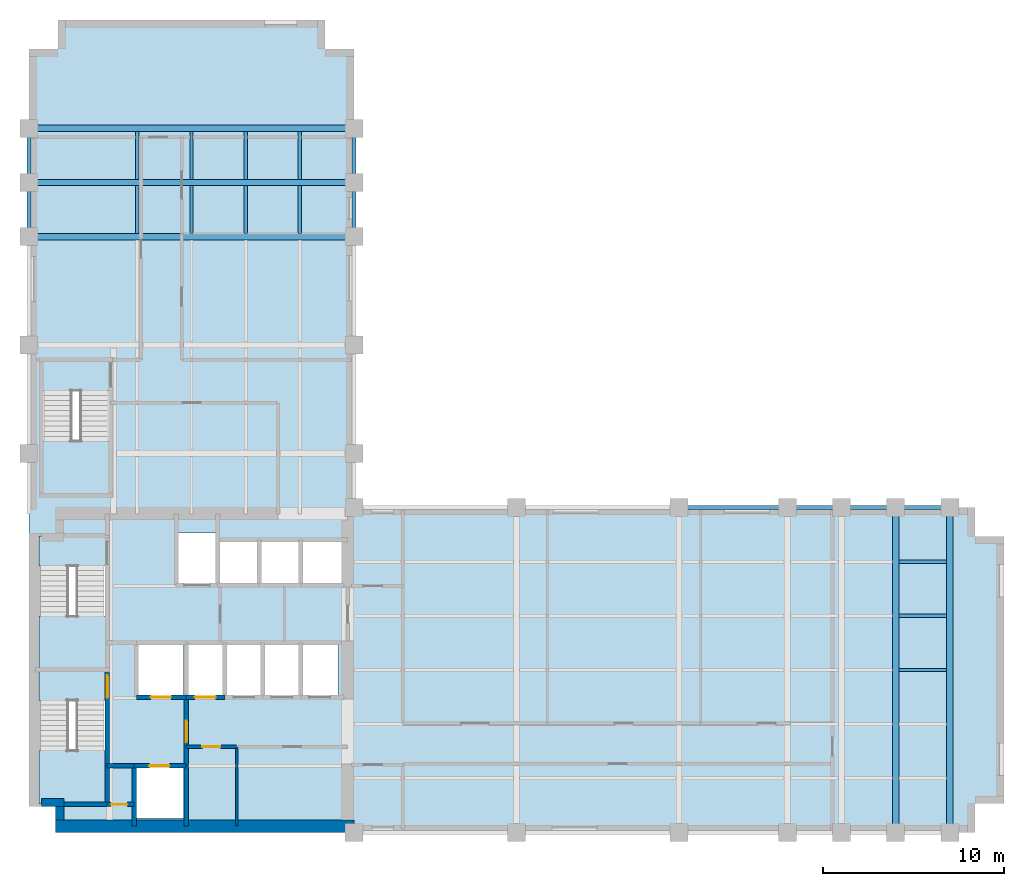
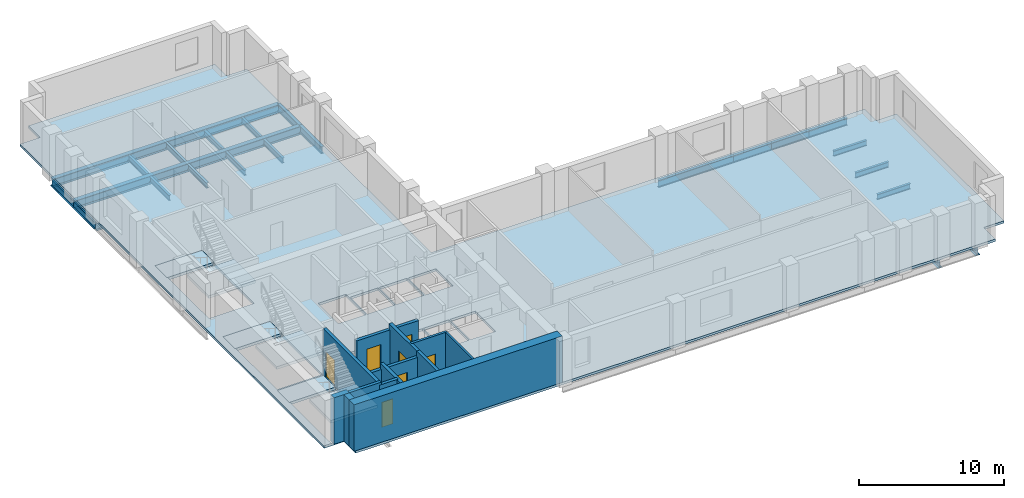
# One storey, part 2 of 7: 24 beams, 15 walls, 7 doors, 7 slabs, 7 openings, 3 elements without a shape of their own.
"""IFC4 building model written with IfcOpenShell, lengths in metres."""

from ifc_helpers import new_model, si_unit, direction, frame, frame_2d, origin, origin_2d, place, context, subcontext, project, spatial, polyline, rectangle, i_section, outline, extrude, material, layer, layer_set, material_profile, profile_set, type_object, element, fill, aggregate, save


model = new_model("IFC4")

# Units and contexts
model_context = context("Model", 3, precision=1e-05, world=origin(), true_north=direction((0.0, 1.0)))
body_context = subcontext(model_context, "Body", "Model", "MODEL_VIEW")
ifc_project = project(units=[si_unit("LENGTHUNIT", "METRE"), si_unit("AREAUNIT", "SQUARE_METRE"), si_unit("VOLUMEUNIT", "CUBIC_METRE"), si_unit("PLANEANGLEUNIT", "RADIAN"), si_unit("MASSUNIT", "GRAM", prefix="KILO")], contexts=[model_context])

# Site, building, storey
site_placement = place(None, origin())
site = spatial("IfcSite", under=ifc_project, at=site_placement, CompositionType="ELEMENT")
building_placement = place(site_placement, origin())
building = spatial("IfcBuilding", under=site, at=building_placement, Name="Mawjdan Bourse Tower", CompositionType="ELEMENT")
storey_placement = place(building_placement, frame((0.0, 0.0, 147.89990234375)))
storey = spatial("IfcBuildingStorey", under=building, at=storey_placement, Name="L35", CompositionType="ELEMENT", Elevation=147.89990234375)

# Beams
ifc_material_1 = material(Name="Structural Steel S355", Category="steel")
ifc_material_profile_1 = material_profile(ifc_material_1, i_section(OverallWidth=0.35498046875, OverallDepth=0.696044921875, WebThickness=0.015380859375, FlangeThickness=0.02490234375, FilletRadius=0.019775390625, at=origin_2d()), Name="W27X146")
ifc_profile_set_1 = profile_set([ifc_material_profile_1], Name="Structural Steel S355")
beam_type_1 = type_object("IfcBeamType", Name="GRD-W27X146", PredefinedType="BEAM", material=ifc_profile_set_1)
for number, where, z_axis, x_axis, name in (
    (1, (54.0, 3.0, -0.5478515625), (0.0, 1.0, 0.0), (-1.0, 0.0, 0.0), "L35 East Wing Clear-Span Girder 006"),
    (2, (57.0, 3.0, -0.5478515625), (0.0, 1.0, 0.0), (-1.0, 0.0, 0.0), "L35 East Wing Clear-Span Girder 007"),
    (3, (6.0, 36.0, -0.5478515625), (1.0, 0.0, 0.0), (0.0, 1.0, 0.0), "L35 North Wing Clear-Span Girder 057"),
    (4, (6.0, 39.0, -0.5478515625), (1.0, 0.0, 0.0), (0.0, 1.0, 0.0), "L35 North Wing Clear-Span Girder 058"),
    (5, (6.0, 42.0, -0.5478515625), (1.0, 0.0, 0.0), (0.0, 1.0, 0.0), "L35 North Wing Clear-Span Girder 059"),
):
    element("IfcBeam", number, at=place(storey_placement, frame(where, z_axis=z_axis, x_axis=x_axis)), inside=storey, type_object=beam_type_1, Name=name, PredefinedType="BEAM", context=body_context, shape_type="SweptSolid", body=[
        extrude(i_section(OverallWidth=0.35498046875, OverallDepth=0.696044921875, WebThickness=0.015380859375, FlangeThickness=0.02490234375, FilletRadius=0.019775390625, at=origin_2d()), origin(), (0.0, 0.0, 1.0), 18.0),
    ])
ifc_material_profile_2 = material_profile(ifc_material_1, i_section(OverallWidth=0.18994140625, OverallDepth=0.45703125, WebThickness=0.009033203125, FlangeThickness=0.014404296875, FilletRadius=0.01171875, at=origin_2d()), Name="W18X50")
ifc_profile_set_2 = profile_set([ifc_material_profile_2], Name="Structural Steel S355")
beam_type_2 = type_object("IfcBeamType", Name="JST-W18X50", PredefinedType="JOIST", material=ifc_profile_set_2)
for number, where, z_axis, x_axis, name in (
    (6, (54.175537109375, 12.0, -0.428466796875), (1.0, 0.0, 0.0), (0.0, 1.0, 0.0), "L35 East Wing Composite Joist 037"),
    (7, (54.175537109375, 15.0, -0.428466796875), (1.0, 0.0, 0.0), (0.0, 1.0, 0.0), "L35 East Wing Composite Joist 043"),
    (8, (54.175537109375, 18.0, -0.428466796875), (1.0, 0.0, 0.0), (0.0, 1.0, 0.0), "L35 East Wing Composite Joist 049"),
    (9, (12.0, 36.175537109375, -0.428466796875), (0.0, 1.0, 0.0), (-1.0, 0.0, 0.0), "L35 North Wing Composite Joist 073"),
    (10, (12.0, 39.175537109375, -0.428466796875), (0.0, 1.0, 0.0), (-1.0, 0.0, 0.0), "L35 North Wing Composite Joist 074"),
    (11, (15.0, 36.175537109375, -0.428466796875), (0.0, 1.0, 0.0), (-1.0, 0.0, 0.0), "L35 North Wing Composite Joist 078"),
    (12, (15.0, 39.175537109375, -0.428466796875), (0.0, 1.0, 0.0), (-1.0, 0.0, 0.0), "L35 North Wing Composite Joist 079"),
    (13, (18.0, 36.175537109375, -0.428466796875), (0.0, 1.0, 0.0), (-1.0, 0.0, 0.0), "L35 North Wing Composite Joist 083"),
    (14, (18.0, 39.175537109375, -0.428466796875), (0.0, 1.0, 0.0), (-1.0, 0.0, 0.0), "L35 North Wing Composite Joist 084"),
    (15, (21.0, 36.175537109375, -0.428466796875), (0.0, 1.0, 0.0), (-1.0, 0.0, 0.0), "L35 North Wing Composite Joist 088"),
    (16, (21.0, 39.175537109375, -0.428466796875), (0.0, 1.0, 0.0), (-1.0, 0.0, 0.0), "L35 North Wing Composite Joist 089"),
):
    element("IfcBeam", number, at=place(storey_placement, frame(where, z_axis=z_axis, x_axis=x_axis)), inside=storey, type_object=beam_type_2, Name=name, PredefinedType="JOIST", context=body_context, shape_type="SweptSolid", body=[
        extrude(i_section(OverallWidth=0.18994140625, OverallDepth=0.45703125, WebThickness=0.009033203125, FlangeThickness=0.014404296875, FilletRadius=0.01171875, at=origin_2d()), origin(), (0.0, 0.0, 1.0), 2.64892578125),
    ])
ifc_material_profile_3 = material_profile(ifc_material_1, i_section(OverallWidth=0.22998046875, OverallDepth=0.616943359375, WebThickness=0.01318359375, FlangeThickness=0.022216796875, FilletRadius=0.017822265625, at=origin_2d()), Name="W24X94")
ifc_profile_set_3 = profile_set([ifc_material_profile_3], Name="Structural Steel S355")
beam_type_3 = type_object("IfcBeamType", Name="SPN-W24X94", PredefinedType="SPANDREL", material=ifc_profile_set_3)
beam_placement = place(storey_placement, frame((42.0, 21.0, -0.50830078125), z_axis=(1.0, 0.0, 0.0), x_axis=(0.0, 1.0, 0.0)))
element("IfcBeam", 17, at=beam_placement, inside=storey, type_object=beam_type_3, Name="L35 Perimeter Masonry-Shelf Spandrel 016", PredefinedType="SPANDREL", context=body_context, shape_type="SweptSolid", body=[
    extrude(i_section(OverallWidth=0.22998046875, OverallDepth=0.616943359375, WebThickness=0.01318359375, FlangeThickness=0.022216796875, FilletRadius=0.017822265625, at=origin_2d()), origin(), (0.0, 0.0, 1.0), 6.0),
])
for number, where, z_axis, x_axis, name in (
    (18, (48.0, 21.0, -0.50830078125), (1.0, 0.0, 0.0), (0.0, 1.0, 0.0), "L35 Perimeter Masonry-Shelf Spandrel 017"),
    (19, (51.0, 21.0, -0.50830078125), (1.0, 0.0, 0.0), (0.0, 1.0, 0.0), "L35 Perimeter Masonry-Shelf Spandrel 018"),
    (20, (54.0, 21.0, -0.50830078125), (1.0, 0.0, 0.0), (0.0, 1.0, 0.0), "L35 Perimeter Masonry-Shelf Spandrel 019"),
    (21, (6.0, 36.0, -0.50830078125), (0.0, 1.0, 0.0), (-1.0, 0.0, 0.0), "L35 North Wing Spandrel 063"),
    (22, (6.0, 39.0, -0.50830078125), (0.0, 1.0, 0.0), (-1.0, 0.0, 0.0), "L35 North Wing Spandrel 064"),
    (23, (24.0, 36.0, -0.50830078125), (0.0, 1.0, 0.0), (-1.0, 0.0, 0.0), "L35 North Wing Spandrel 068"),
    (24, (24.0, 39.0, -0.50830078125), (0.0, 1.0, 0.0), (-1.0, 0.0, 0.0), "L35 North Wing Spandrel 069"),
):
    element("IfcBeam", number, at=place(storey_placement, frame(where, z_axis=z_axis, x_axis=x_axis)), inside=storey, type_object=beam_type_3, Name=name, PredefinedType="SPANDREL", context=body_context, shape_type="SweptSolid", body=[
        extrude(i_section(OverallWidth=0.22998046875, OverallDepth=0.616943359375, WebThickness=0.01318359375, FlangeThickness=0.022216796875, FilletRadius=0.017822265625, at=origin_2d()), origin(), (0.0, 0.0, 1.0), 3.0),
    ])

# Stair, slabs
ifc_material_2 = material(Name="Concrete C50/60", Category="concrete")
stair_type = type_object("IfcStairType", Name="STR-CORE-1500", PredefinedType="HALF_TURN_STAIR", material=ifc_material_2)
stair_1_placement = place(storey_placement, origin())
stair_1 = element("IfcStair", 25, at=stair_1_placement, inside=storey, type_object=stair_type, Name="L35 Exit Stair 1 (Core South-West)", PredefinedType="HALF_TURN_STAIR")
ifc_layer_1 = layer(ifc_material_2, 0.22998046875)
ifc_layer_set_1 = layer_set([ifc_layer_1], Name="Concrete C50/60")
slab_type_1 = type_object("IfcSlabType", Name="SL-LND-230", PredefinedType="LANDING", material=ifc_layer_set_1)
slab_1_placement = place(storey_placement, frame((0.0, 0.0, -0.22998046875)))
slab_1 = element("IfcSlab", 26, at=slab_1_placement, type_object=slab_type_1, Name="ST1-L35 landing 1", PredefinedType="LANDING", context=body_context, shape_type="SweptSolid", body=[
    extrude(outline(polyline([(6.5400390625, 10.31005859375), (10.260009765625, 10.31005859375), (10.260009765625, 11.969970703125), (6.5400390625, 11.969970703125), (6.5400390625, 10.31005859375)])), origin(), (0.0, 0.0, 1.0), 0.22998046875),
])
slab_2_placement = place(storey_placement, frame((0.0, 0.0, 1.72021484375)))
slab_2 = element("IfcSlab", 27, at=slab_2_placement, type_object=slab_type_1, Name="ST1-L35 landing 2", PredefinedType="LANDING", context=body_context, shape_type="SweptSolid", body=[
    extrude(outline(polyline([(6.5400390625, 4.590087890625), (10.260009765625, 4.590087890625), (10.260009765625, 7.5400390625), (6.5400390625, 7.5400390625), (6.5400390625, 4.590087890625)])), origin(), (0.0, 0.0, 1.0), 0.22998046875),
])
aggregate(stair_1, [slab_1, slab_2])

stair_2_placement = place(storey_placement, origin())
stair_2 = element("IfcStair", 28, at=stair_2_placement, inside=storey, type_object=stair_type, Name="L35 Exit Stair 2 (Core North-West)", PredefinedType="HALF_TURN_STAIR")
slab_3_placement = place(storey_placement, frame((0.0, 0.0, -0.22998046875)))
slab_3 = element("IfcSlab", 29, at=slab_3_placement, type_object=slab_type_1, Name="ST2-L35 landing 1", PredefinedType="LANDING", context=body_context, shape_type="SweptSolid", body=[
    extrude(outline(polyline([(6.5400390625, 17.75), (10.260009765625, 17.75), (10.260009765625, 19.409912109375), (6.5400390625, 19.409912109375), (6.5400390625, 17.75)])), origin(), (0.0, 0.0, 1.0), 0.22998046875),
])
slab_4_placement = place(storey_placement, frame((0.0, 0.0, 1.72021484375)))
slab_4 = element("IfcSlab", 30, at=slab_4_placement, type_object=slab_type_1, Name="ST2-L35 landing 2", PredefinedType="LANDING", context=body_context, shape_type="SweptSolid", body=[
    extrude(outline(polyline([(6.5400390625, 12.030029296875), (10.260009765625, 12.030029296875), (10.260009765625, 14.97998046875), (6.5400390625, 14.97998046875), (6.5400390625, 12.030029296875)])), origin(), (0.0, 0.0, 1.0), 0.22998046875),
])
aggregate(stair_2, [slab_3, slab_4])

stair_3_placement = place(storey_placement, origin())
stair_3 = element("IfcStair", 31, at=stair_3_placement, inside=storey, type_object=stair_type, Name="L35 Exit Stair 3 (North Wing)", PredefinedType="HALF_TURN_STAIR")
slab_5_placement = place(storey_placement, frame((0.0, 0.0, -0.22998046875)))
slab_5 = element("IfcSlab", 32, at=slab_5_placement, type_object=slab_type_1, Name="ST3-L35 landing 1", PredefinedType="LANDING", context=body_context, shape_type="SweptSolid", body=[
    extrude(outline(polyline([(6.739990234375, 27.4599609375), (10.4599609375, 27.4599609375), (10.4599609375, 29.1201171875), (6.739990234375, 29.1201171875), (6.739990234375, 27.4599609375)])), origin(), (0.0, 0.0, 1.0), 0.22998046875),
])
slab_6_placement = place(storey_placement, frame((0.0, 0.0, 1.72021484375)))
slab_6 = element("IfcSlab", 33, at=slab_6_placement, type_object=slab_type_1, Name="ST3-L35 landing 2", PredefinedType="LANDING", context=body_context, shape_type="SweptSolid", body=[
    extrude(outline(polyline([(6.739990234375, 21.739990234375), (10.4599609375, 21.739990234375), (10.4599609375, 24.68994140625), (6.739990234375, 24.68994140625), (6.739990234375, 21.739990234375)])), origin(), (0.0, 0.0, 1.0), 0.22998046875),
])
aggregate(stair_3, [slab_5, slab_6])

# Slab
ifc_layer_2 = layer(ifc_material_2, 0.199951171875)
ifc_layer_set_2 = layer_set([ifc_layer_2], Name="Concrete C50/60")
slab_type_2 = type_object("IfcSlabType", Name="SL-OFC-200", PredefinedType="FLOOR", material=ifc_layer_set_2)
slab_7_placement = place(storey_placement, frame((0.0, 0.0, -0.199951171875)))
element("IfcSlab", 34, at=slab_7_placement, inside=storey, type_object=slab_type_2, Name="L35 Structural Floor Slab 1", PredefinedType="FLOOR", context=body_context, shape_type="SweptSolid", body=[
    extrude(outline(polyline([(7.60009765625, 3.0), (58.39990234375, 3.0), (58.39990234375, 4.60009765625), (60.0, 4.60009765625), (60.0, 19.39990234375), (58.39990234375, 19.39990234375), (58.39990234375, 21.0), (24.0, 21.0), (24.0, 46.39990234375), (22.39990234375, 46.39990234375), (22.39990234375, 48.0), (7.60009765625, 48.0), (7.60009765625, 46.39990234375), (6.0, 46.39990234375), (6.0, 4.60009765625), (7.60009765625, 4.60009765625), (7.60009765625, 3.0)]), holes=[polyline([(11.949951171875, 3.800048828125), (11.949951171875, 6.60009765625), (14.550048828125, 6.60009765625), (14.550048828125, 3.800048828125), (11.949951171875, 3.800048828125)]), polyline([(6.60009765625, 10.31005859375), (6.5400390625, 10.31005859375), (6.5400390625, 11.969970703125), (10.260009765625, 11.969970703125), (10.260009765625, 10.31005859375), (10.199951171875, 10.31005859375), (10.199951171875, 4.64990234375), (6.60009765625, 4.64990234375), (6.60009765625, 10.31005859375)]), polyline([(12.050048828125, 10.60009765625), (12.050048828125, 13.39990234375), (14.550048828125, 13.39990234375), (14.550048828125, 10.60009765625), (12.050048828125, 10.60009765625)]), polyline([(10.260009765625, 19.409912109375), (10.260009765625, 17.75), (10.199951171875, 17.75), (10.199951171875, 12.090087890625), (6.60009765625, 12.090087890625), (6.60009765625, 17.75), (6.5400390625, 17.75), (6.5400390625, 19.409912109375), (10.260009765625, 19.409912109375)]), polyline([(10.4599609375, 29.1201171875), (10.4599609375, 27.4599609375), (10.39990234375, 27.4599609375), (10.39990234375, 21.800048828125), (6.800048828125, 21.800048828125), (6.800048828125, 27.4599609375), (6.739990234375, 27.4599609375), (6.739990234375, 29.1201171875), (10.4599609375, 29.1201171875)]), polyline([(14.800048828125, 10.60009765625), (14.800048828125, 13.39990234375), (16.800048828125, 13.39990234375), (16.800048828125, 10.60009765625), (14.800048828125, 10.60009765625)]), polyline([(16.89990234375, 10.60009765625), (16.89990234375, 13.39990234375), (18.89990234375, 13.39990234375), (18.89990234375, 10.60009765625), (16.89990234375, 10.60009765625)]), polyline([(19.0, 10.60009765625), (19.0, 13.39990234375), (21.0, 13.39990234375), (21.0, 10.60009765625), (19.0, 10.60009765625)]), polyline([(21.10009765625, 10.60009765625), (21.10009765625, 13.39990234375), (23.10009765625, 13.39990234375), (23.10009765625, 10.60009765625), (21.10009765625, 10.60009765625)]), polyline([(16.5, 16.800048828125), (16.5, 19.14990234375), (18.699951171875, 19.14990234375), (18.699951171875, 16.800048828125), (16.5, 16.800048828125)]), polyline([(18.800048828125, 16.800048828125), (18.800048828125, 19.14990234375), (21.0, 19.14990234375), (21.0, 16.800048828125), (18.800048828125, 16.800048828125)]), polyline([(21.10009765625, 16.800048828125), (21.10009765625, 19.14990234375), (23.300048828125, 19.14990234375), (23.300048828125, 16.800048828125), (21.10009765625, 16.800048828125)]), polyline([(14.199951171875, 16.800048828125), (14.199951171875, 19.60009765625), (16.39990234375, 19.60009765625), (16.39990234375, 16.800048828125), (14.199951171875, 16.800048828125)])]), origin(), (0.0, 0.0, 1.0), 0.199951171875),
])

# Wall, opening, door
ifc_material_3 = material(Name="Gypsum Fireboard Assembly")
ifc_layer_3 = layer(ifc_material_3, 0.199951171875)
ifc_layer_set_3 = layer_set([ifc_layer_3], Name="Gypsum Fireboard Assembly")
wall_type_1 = type_object("IfcWallType", Name="WL-CMP-200", PredefinedType="PARTITIONING", material=ifc_layer_set_3)
wall_1_placement = place(storey_placement, frame((14.699951171875, 7.739990234375, 0.0), z_axis=(0.0, 0.0, 1.0), x_axis=(1.0, 0.0, 0.0)))
wall_1 = element("IfcWall", 35, at=wall_1_placement, inside=storey, type_object=wall_type_1, Name="L35 First Aid & Wellness Room North Wall", PredefinedType="PARTITIONING", context=body_context, shape_type="SweptSolid", body=[
    extrude(rectangle(XDim=2.800048828125, YDim=0.199951171875, at=frame_2d((1.39990234375, 0.0))), origin(), (0.0, 0.0, 1.0), 3.690185546875),
])
opening_1_placement = place(wall_1_placement, frame((0.89990234375, 0.0, 0.0)))
opening_1 = element("IfcOpeningElement", 36, at=opening_1_placement, cuts=wall_1, Name="Opening D-L35-10", PredefinedType="OPENING", context=body_context, shape_type="SweptSolid", body=[
    extrude(rectangle(XDim=1.0, YDim=2.14990234375, at=frame_2d((0.5, 1.074951171875))), frame((0.0, 0.10986328125, 0.0), z_axis=(0.0, -1.0, 0.0), x_axis=(1.0, 0.0, 0.0)), (0.0, 0.0, 1.0), 0.219970703125),
])
ifc_material_4 = material(Name="Hardwood Acoustic Leaf", Category="wood")
door_type_1 = type_object("IfcDoorType", Name="DR-OFC-1000", OperationType="NOTDEFINED", PredefinedType="DOOR", material=ifc_material_4)
door_1_placement = place(opening_1_placement, origin())
door_1 = element("IfcDoor", 37, at=door_1_placement, inside=storey, type_object=door_type_1, Name="L35 First Aid & Wellness Room Door D-L35-10", OperationType="SINGLE_SWING_RIGHT", OverallHeight=2.14990234375, OverallWidth=1.0, PredefinedType="DOOR", context=body_context, shape_type="SweptSolid", body=[
    extrude(rectangle(XDim=1.0, YDim=2.14990234375, at=frame_2d((0.5, 1.074951171875))), frame((0.0, 0.02490234375, 0.0), z_axis=(0.0, -1.0, 0.0), x_axis=(1.0, 0.0, 0.0)), (0.0, 0.0, 1.0), 0.050048828125),
])
fill(opening_1, door_1)

# Walls
ifc_material_5 = material(Name="Concrete C60/75", Category="concrete")
ifc_layer_4 = layer(ifc_material_5, 0.449951171875)
ifc_layer_set_4 = layer_set([ifc_layer_4], Name="Concrete C60/75")
wall_type_2 = type_object("IfcWallType", Name="WL-CORE-450", PredefinedType="SHEAR", material=ifc_layer_set_4)
wall_2_placement = place(storey_placement, frame((6.699951171875, 4.64990234375, 0.0), z_axis=(0.0, 0.0, 1.0), x_axis=(1.0, 0.0, 0.0)))
element("IfcWall", 38, at=wall_2_placement, inside=storey, type_object=wall_type_2, Name="L35 Rear Core Shear Wall SW-X", PredefinedType="SHEAR", context=body_context, shape_type="SweptSolid", body=[
    extrude(rectangle(XDim=1.22509765625, YDim=0.449951171875, at=frame_2d((0.612548828125, 0.0))), origin(), (0.0, 0.0, 1.0), 3.900146484375),
])
wall_3_placement = place(storey_placement, frame((7.699951171875, 3.699951171875, 0.0), z_axis=(0.0, 0.0, 1.0), x_axis=(0.0, 1.0, 0.0)))
element("IfcWall", 39, at=wall_3_placement, inside=storey, type_object=wall_type_2, Name="L35 Rear Core Shear Wall SW-Y", PredefinedType="SHEAR", context=body_context, shape_type="SweptSolid", body=[
    extrude(rectangle(XDim=0.72509765625, YDim=0.449951171875, at=frame_2d((0.362548828125, 0.0))), origin(), (0.0, 0.0, 1.0), 3.900146484375),
])
ifc_material_6 = material(Name="Concrete C70/85", Category="concrete")
ifc_layer_5 = layer(ifc_material_6, 0.699951171875)
ifc_layer_set_5 = layer_set([ifc_layer_5], Name="Concrete C70/85")
wall_type_3 = type_object("IfcWallType", Name="WL-CORE-700", PredefinedType="SHEAR", material=ifc_layer_set_5)
wall_4_placement = place(storey_placement, frame((7.47509765625, 3.35009765625, 0.0), z_axis=(0.0, 0.0, 1.0), x_axis=(1.0, 0.0, 0.0)))
element("IfcWall", 40, at=wall_4_placement, inside=storey, type_object=wall_type_3, Name="L35 Rear Core Shear Wall S", PredefinedType="SHEAR", context=body_context, shape_type="SweptSolid", body=[
    extrude(rectangle(XDim=16.52490234375, YDim=0.699951171875, at=frame_2d((8.262451171875, 0.0))), origin(), (0.0, 0.0, 1.0), 3.900146484375),
])
ifc_material_7 = material(Name="Gypsum Acoustic Partition")
ifc_layer_6 = layer(ifc_material_7, 0.14990234375)
ifc_layer_set_6 = layer_set([ifc_layer_6], Name="Gypsum Acoustic Partition")
wall_type_4 = type_object("IfcWallType", Name="WL-PRT-150", PredefinedType="PARTITIONING", material=ifc_layer_set_6)
wall_5_placement = place(storey_placement, frame((17.5, 3.35009765625, 0.0), z_axis=(0.0, 0.0, 1.0), x_axis=(0.0, 1.0, 0.0)))
element("IfcWall", 41, at=wall_5_placement, inside=storey, type_object=wall_type_4, Name="L35 Reprographics & Pantry Suite Core Split Wall", PredefinedType="PARTITIONING", context=body_context, shape_type="SweptSolid", body=[
    extrude(rectangle(XDim=4.389892578125, YDim=0.14990234375, at=frame_2d((2.19482421875, 0.0))), origin(), (0.0, 0.0, 1.0), 3.690185546875),
])

# Wall, opening, door
ifc_layer_7 = layer(ifc_material_2, 0.25)
ifc_layer_set_7 = layer_set([ifc_layer_7], Name="Concrete C50/60")
wall_type_5 = type_object("IfcWallType", Name="WL-SHFT-250", PredefinedType="PARTITIONING", material=ifc_layer_set_7)
wall_6_placement = place(storey_placement, frame((10.330078125, 4.550048828125, 0.0), z_axis=(0.0, 0.0, 1.0), x_axis=(1.0, 0.0, 0.0)))
wall_6 = element("IfcWall", 42, at=wall_6_placement, inside=storey, type_object=wall_type_5, Name="L35 SW Riser North Wall", PredefinedType="PARTITIONING", context=body_context, shape_type="SweptSolid", body=[
    extrude(rectangle(XDim=1.489990234375, YDim=0.25, at=frame_2d((0.7451171875, 0.0))), origin(), (0.0, 0.0, 1.0), 3.690185546875),
])
opening_2_placement = place(wall_6_placement, frame((0.219970703125, 0.0, 0.0)))
opening_2 = element("IfcOpeningElement", 43, at=opening_2_placement, cuts=wall_6, Name="Opening RD-L35-03", PredefinedType="OPENING", context=body_context, shape_type="SweptSolid", body=[
    extrude(rectangle(XDim=0.89990234375, YDim=2.10009765625, at=frame_2d((0.449951171875, 1.050048828125))), frame((0.0, 0.135009765625, 0.0), z_axis=(0.0, -1.0, 0.0), x_axis=(1.0, 0.0, 0.0)), (0.0, 0.0, 1.0), 0.27001953125),
])
ifc_material_8 = material(Name="Fire-Rated Steel Access Leaf", Category="steel")
door_type_2 = type_object("IfcDoorType", Name="FD-RSR-0900", OperationType="NOTDEFINED", PredefinedType="TRAPDOOR", material=ifc_material_8)
door_2_placement = place(opening_2_placement, origin())
door_2 = element("IfcDoor", 44, at=door_2_placement, inside=storey, type_object=door_type_2, Name="L35 Electrical Riser Access Door RD-L35-03", OperationType="SINGLE_SWING_RIGHT", OverallHeight=2.10009765625, OverallWidth=0.89990234375, PredefinedType="TRAPDOOR", context=body_context, shape_type="SweptSolid", body=[
    extrude(rectangle(XDim=0.89990234375, YDim=2.10009765625, at=frame_2d((0.449951171875, 1.050048828125))), frame((0.0, 0.02490234375, 0.0), z_axis=(0.0, -1.0, 0.0), x_axis=(1.0, 0.0, 0.0)), (0.0, 0.0, 1.0), 0.050048828125),
])
fill(opening_2, door_2)

# Wall
wall_7_placement = place(storey_placement, frame((11.820068359375, 3.35009765625, 0.0), z_axis=(0.0, 0.0, 1.0), x_axis=(0.0, 1.0, 0.0)))
element("IfcWall", 45, at=wall_7_placement, inside=storey, type_object=wall_type_5, Name="L35 SW Riser & FFL01 West Wall", PredefinedType="PARTITIONING", context=body_context, shape_type="SweptSolid", body=[
    extrude(rectangle(XDim=3.349853515625, YDim=0.25, at=frame_2d((1.6748046875, 0.0))), origin(), (0.0, 0.0, 1.0), 3.690185546875),
])

# Wall, opening, door
wall_8_placement = place(storey_placement, frame((11.820068359375, 6.699951171875, 0.0), z_axis=(0.0, 0.0, 1.0), x_axis=(1.0, 0.0, 0.0)))
wall_8 = element("IfcWall", 46, at=wall_8_placement, inside=storey, type_object=wall_type_5, Name="L35 FFL-01 Front Shaft Wall", PredefinedType="PARTITIONING", context=body_context, shape_type="SweptSolid", body=[
    extrude(rectangle(XDim=2.8798828125, YDim=0.25, at=frame_2d((1.43994140625, 0.0))), origin(), (0.0, 0.0, 1.0), 3.233154296875),
])
opening_3_placement = place(wall_8_placement, frame((0.85009765625, 0.0, 0.0)))
opening_3 = element("IfcOpeningElement", 47, at=opening_3_placement, cuts=wall_8, Name="Opening LD-L35-05", PredefinedType="OPENING", context=body_context, shape_type="SweptSolid", body=[
    extrude(rectangle(XDim=1.10009765625, YDim=2.25, at=frame_2d((0.550048828125, 1.125))), frame((0.0, 0.135009765625, 0.0), z_axis=(0.0, -1.0, 0.0), x_axis=(1.0, 0.0, 0.0)), (0.0, 0.0, 1.0), 0.27001953125),
])
ifc_material_9 = material(Name="Brushed Stainless Steel", Category="steel")
door_type_3 = type_object("IfcDoorType", Name="LD-FFL-1100", OperationType="DOUBLE_DOOR_SLIDING", PredefinedType="DOOR", material=ifc_material_9)
door_3_placement = place(opening_3_placement, origin())
door_3 = element("IfcDoor", 48, at=door_3_placement, inside=storey, type_object=door_type_3, Name="L35 Firefighting Lift FFL-01 Landing Door LD-L35-05", OperationType="DOUBLE_DOOR_SLIDING", OverallHeight=2.25, OverallWidth=1.10009765625, PredefinedType="DOOR", context=body_context, shape_type="SweptSolid", body=[
    extrude(rectangle(XDim=1.10009765625, YDim=2.25, at=frame_2d((0.550048828125, 1.125))), frame((0.0, 0.02490234375, 0.0), z_axis=(0.0, -1.0, 0.0), x_axis=(1.0, 0.0, 0.0)), (0.0, 0.0, 1.0), 0.050048828125),
])
fill(opening_3, door_3)

# Wall
wall_9_placement = place(storey_placement, frame((14.699951171875, 3.35009765625, 0.0), z_axis=(0.0, 0.0, 1.0), x_axis=(0.0, 1.0, 0.0)))
element("IfcWall", 49, at=wall_9_placement, inside=storey, type_object=wall_type_5, Name="L35 FFL-01 East Shaft Wall", PredefinedType="PARTITIONING", context=body_context, shape_type="SweptSolid", body=[
    extrude(rectangle(XDim=3.349853515625, YDim=0.25, at=frame_2d((1.6748046875, 0.0))), origin(), (0.0, 0.0, 1.0), 3.690185546875),
])

# Wall, opening, door
wall_10_placement = place(storey_placement, frame((11.949951171875, 10.5, 0.0), z_axis=(0.0, 0.0, 1.0), x_axis=(1.0, 0.0, 0.0)))
wall_10 = element("IfcWall", 50, at=wall_10_placement, inside=storey, type_object=wall_type_5, Name="L35 FFL-02 Front Shaft Wall", PredefinedType="PARTITIONING", context=body_context, shape_type="SweptSolid", body=[
    extrude(rectangle(XDim=2.75, YDim=0.25, at=frame_2d((1.375, 0.0))), origin(), (0.0, 0.0, 1.0), 3.233154296875),
])
opening_4_placement = place(wall_10_placement, frame((0.800048828125, 0.0, 0.0)))
opening_4 = element("IfcOpeningElement", 51, at=opening_4_placement, cuts=wall_10, Name="Opening LD-L35-06", PredefinedType="OPENING", context=body_context, shape_type="SweptSolid", body=[
    extrude(rectangle(XDim=1.10009765625, YDim=2.25, at=frame_2d((0.550048828125, 1.125))), frame((0.0, 0.135009765625, 0.0), z_axis=(0.0, -1.0, 0.0), x_axis=(1.0, 0.0, 0.0)), (0.0, 0.0, 1.0), 0.27001953125),
])
door_4_placement = place(opening_4_placement, origin())
door_4 = element("IfcDoor", 52, at=door_4_placement, inside=storey, type_object=door_type_3, Name="L35 Firefighting Lift FFL-02 Landing Door LD-L35-06", OperationType="DOUBLE_DOOR_SLIDING", OverallHeight=2.25, OverallWidth=1.10009765625, PredefinedType="DOOR", context=body_context, shape_type="SweptSolid", body=[
    extrude(rectangle(XDim=1.10009765625, YDim=2.25, at=frame_2d((0.550048828125, 1.125))), frame((0.0, 0.02490234375, 0.0), z_axis=(0.0, -1.0, 0.0), x_axis=(1.0, 0.0, 0.0)), (0.0, 0.0, 1.0), 0.050048828125),
])
fill(opening_4, door_4)

wall_11_placement = place(storey_placement, frame((14.699951171875, 6.699951171875, 0.0), z_axis=(0.0, 0.0, 1.0), x_axis=(0.0, 1.0, 0.0)))
wall_11 = element("IfcWall", 53, at=wall_11_placement, inside=storey, type_object=wall_type_5, Name="L35 Firefighting Lobby East Compartment Wall", PredefinedType="PARTITIONING", context=body_context, shape_type="SweptSolid", body=[
    extrude(rectangle(XDim=3.800048828125, YDim=0.25, at=frame_2d((1.89990234375, 0.0))), origin(), (0.0, 0.0, 1.0), 3.690185546875),
])
opening_5_placement = place(wall_11_placement, frame((1.300048828125, 0.0, 0.0)))
opening_5 = element("IfcOpeningElement", 54, at=opening_5_placement, cuts=wall_11, Name="Opening FD-L35-07", PredefinedType="OPENING", context=body_context, shape_type="SweptSolid", body=[
    extrude(rectangle(XDim=1.199951171875, YDim=2.199951171875, at=frame_2d((0.60009765625, 1.10009765625))), frame((0.0, 0.135009765625, 0.0), z_axis=(0.0, -1.0, 0.0), x_axis=(1.0, 0.0, 0.0)), (0.0, 0.0, 1.0), 0.27001953125),
])
ifc_material_10 = material(Name="Fire-Rated Steel Leaf", Category="steel")
door_type_4 = type_object("IfcDoorType", Name="FD-FFL-1200", OperationType="NOTDEFINED", PredefinedType="DOOR", material=ifc_material_10)
door_5_placement = place(opening_5_placement, origin())
door_5 = element("IfcDoor", 55, at=door_5_placement, inside=storey, type_object=door_type_4, Name="L35 Firefighting Lobby East Smoke Door FD-L35-07", OperationType="SINGLE_SWING_RIGHT", OverallHeight=2.199951171875, OverallWidth=1.199951171875, PredefinedType="DOOR", context=body_context, shape_type="SweptSolid", body=[
    extrude(rectangle(XDim=1.199951171875, YDim=2.199951171875, at=frame_2d((0.60009765625, 1.10009765625))), frame((0.0, 0.02490234375, 0.0), z_axis=(0.0, -1.0, 0.0), x_axis=(1.0, 0.0, 0.0)), (0.0, 0.0, 1.0), 0.050048828125),
])
fill(opening_5, door_5)

# Wall
wall_12_placement = place(storey_placement, frame((10.330078125, 6.699951171875, 0.0), z_axis=(0.0, 0.0, 1.0), x_axis=(1.0, 0.0, 0.0)))
element("IfcWall", 56, at=wall_12_placement, inside=storey, type_object=wall_type_5, Name="L35 Firefighting Lobby South Closure Wall", PredefinedType="PARTITIONING", context=body_context, shape_type="SweptSolid", body=[
    extrude(rectangle(XDim=1.489990234375, YDim=0.25, at=frame_2d((0.7451171875, 0.0))), origin(), (0.0, 0.0, 1.0), 3.233154296875),
])

# Wall, opening, door
wall_13_placement = place(storey_placement, frame((14.699951171875, 10.5, 0.0), z_axis=(0.0, 0.0, 1.0), x_axis=(1.0, 0.0, 0.0)))
wall_13 = element("IfcWall", 57, at=wall_13_placement, inside=storey, type_object=wall_type_5, Name="L35 PM-01 Front Wall", PredefinedType="PARTITIONING", context=body_context, shape_type="SweptSolid", body=[
    extrude(rectangle(XDim=2.150146484375, YDim=0.25, at=frame_2d((1.0751953125, 0.0))), origin(), (0.0, 0.0, 1.0), 3.233154296875),
])
opening_6_placement = place(wall_13_placement, frame((0.47998046875, 0.0, 0.0)))
opening_6 = element("IfcOpeningElement", 58, at=opening_6_placement, cuts=wall_13, Name="Opening LD-L35-12", PredefinedType="OPENING", context=body_context, shape_type="SweptSolid", body=[
    extrude(rectangle(XDim=1.14990234375, YDim=2.25, at=frame_2d((0.574951171875, 1.125))), frame((0.0, 0.135009765625, 0.0), z_axis=(0.0, -1.0, 0.0), x_axis=(1.0, 0.0, 0.0)), (0.0, 0.0, 1.0), 0.27001953125),
])
door_type_5 = type_object("IfcDoorType", Name="LD-PAS-1150", OperationType="DOUBLE_DOOR_SLIDING", PredefinedType="DOOR", material=ifc_material_9)
door_6_placement = place(opening_6_placement, origin())
door_6 = element("IfcDoor", 59, at=door_6_placement, inside=storey, type_object=door_type_5, Name="L35 Lift PM-01 Landing Door LD-L35-12", OperationType="DOUBLE_DOOR_SLIDING", OverallHeight=2.25, OverallWidth=1.14990234375, PredefinedType="DOOR", context=body_context, shape_type="SweptSolid", body=[
    extrude(rectangle(XDim=1.14990234375, YDim=2.25, at=frame_2d((0.574951171875, 1.125))), frame((0.0, 0.02490234375, 0.0), z_axis=(0.0, -1.0, 0.0), x_axis=(1.0, 0.0, 0.0)), (0.0, 0.0, 1.0), 0.050048828125),
])
fill(opening_6, door_6)

# Wall
ifc_layer_8 = layer(ifc_material_2, 0.25)
ifc_layer_set_8 = layer_set([ifc_layer_8], Name="Concrete C50/60")
wall_type_6 = type_object("IfcWallType", Name="WL-STRW-250", PredefinedType="SHEAR", material=ifc_layer_set_8)
wall_14_placement = place(storey_placement, frame((7.699951171875, 4.550048828125, 0.0), z_axis=(0.0, 0.0, 1.0), x_axis=(1.0, 0.0, 0.0)))
element("IfcWall", 60, at=wall_14_placement, inside=storey, type_object=wall_type_6, Name="L35 Stairwell ST1 South Shaft Wall", PredefinedType="SHEAR", context=body_context, shape_type="SweptSolid", body=[
    extrude(rectangle(XDim=2.755126953125, YDim=0.25, at=frame_2d((1.37744140625, 0.0))), origin(), (0.0, 0.0, 1.0), 3.900146484375),
])

# Wall, opening, door
wall_15_placement = place(storey_placement, frame((10.330078125, 4.550048828125, 0.0), z_axis=(0.0, 0.0, 1.0), x_axis=(0.0, 1.0, 0.0)))
wall_15 = element("IfcWall", 61, at=wall_15_placement, inside=storey, type_object=wall_type_6, Name="L35 Stairwell ST1 East Enclosure Wall", PredefinedType="SHEAR", context=body_context, shape_type="SweptSolid", body=[
    extrude(rectangle(XDim=7.449951171875, YDim=0.25, at=frame_2d((3.72509765625, 0.0))), origin(), (0.0, 0.0, 1.0), 3.900146484375),
])
opening_7_placement = place(wall_15_placement, frame((5.89990234375, 0.0, 0.0)))
opening_7 = element("IfcOpeningElement", 62, at=opening_7_placement, cuts=wall_15, Name="Opening SD-L35-01", PredefinedType="OPENING", context=body_context, shape_type="SweptSolid", body=[
    extrude(rectangle(XDim=1.25, YDim=2.199951171875, at=frame_2d((0.625, 1.10009765625))), frame((0.0, 0.135009765625, 0.0), z_axis=(0.0, -1.0, 0.0), x_axis=(1.0, 0.0, 0.0)), (0.0, 0.0, 1.0), 0.27001953125),
])
door_type_6 = type_object("IfcDoorType", Name="FD-ST-1250", OperationType="NOTDEFINED", PredefinedType="DOOR", material=ifc_material_10)
door_7_placement = place(opening_7_placement, origin())
door_7 = element("IfcDoor", 63, at=door_7_placement, inside=storey, type_object=door_type_6, Name="L35 Exit Stair ST1 Fire Door SD-L35-01", OperationType="SINGLE_SWING_RIGHT", OverallHeight=2.199951171875, OverallWidth=1.25, PredefinedType="DOOR", context=body_context, shape_type="SweptSolid", body=[
    extrude(rectangle(XDim=1.25, YDim=2.199951171875, at=frame_2d((0.625, 1.10009765625))), frame((0.0, 0.02490234375, 0.0), z_axis=(0.0, -1.0, 0.0), x_axis=(1.0, 0.0, 0.0)), (0.0, 0.0, 1.0), 0.050048828125),
])
fill(opening_7, door_7)

save(model, "model.ifc")
